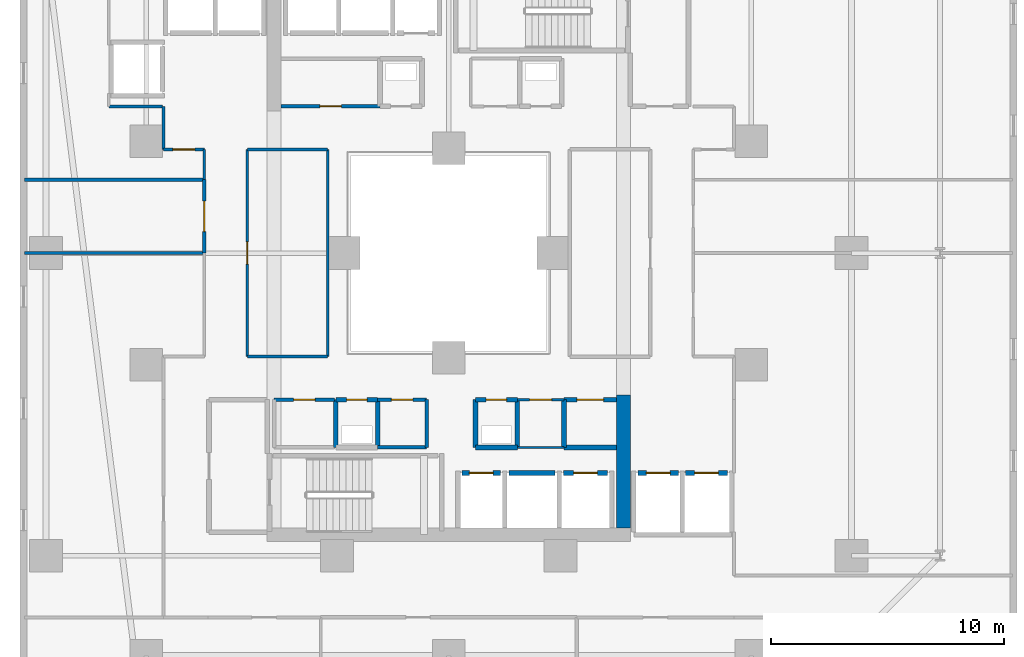
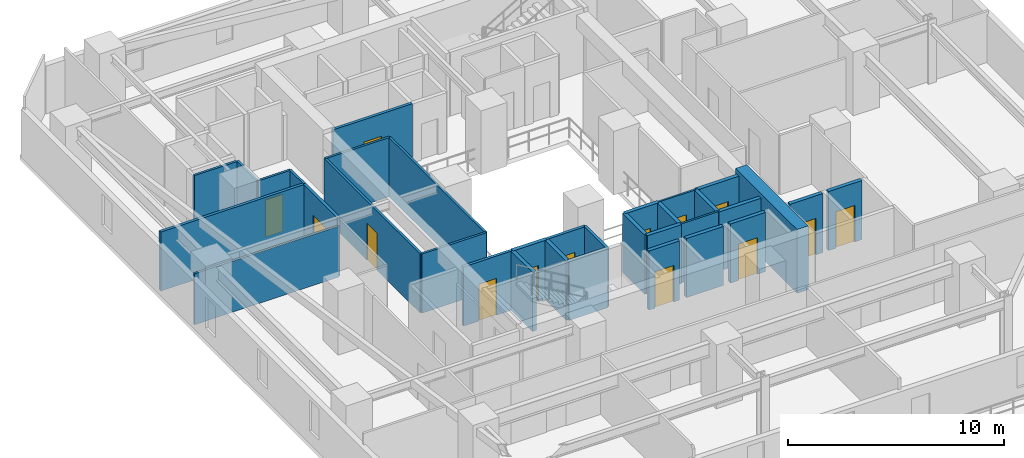
# One storey, part 21 of 34: 34 walls, 14 doors, 14 openings.
"""IFC4 building model written with IfcOpenShell, lengths in metres."""

from ifc_helpers import new_model, si_unit, direction, frame, frame_2d, origin, place, context, subcontext, project, spatial, rectangle, extrude, material, layer, layer_set, type_object, element, fill, save


model = new_model("IFC4")

# Units and contexts
model_context = context("Model", 3, precision=1e-05, world=origin(), true_north=direction((0.0, 1.0)))
body_context = subcontext(model_context, "Body", "Model", "MODEL_VIEW")
ifc_project = project(units=[si_unit("LENGTHUNIT", "METRE"), si_unit("AREAUNIT", "SQUARE_METRE"), si_unit("VOLUMEUNIT", "CUBIC_METRE"), si_unit("PLANEANGLEUNIT", "RADIAN"), si_unit("MASSUNIT", "GRAM", prefix="KILO")], contexts=[model_context])

# Site, building, storey
site_placement = place(None, origin())
site = spatial("IfcSite", under=ifc_project, at=site_placement, CompositionType="ELEMENT")
building_placement = place(site_placement, origin())
building = spatial("IfcBuilding", under=site, at=building_placement, Name="Thornwick Lancets Civic Towers", CompositionType="ELEMENT")
storey_placement = place(building_placement, frame((0.0, 0.0, 60.89990234375)))
storey = spatial("IfcBuildingStorey", under=building, at=storey_placement, Name="L15", CompositionType="ELEMENT", Elevation=60.89990234375)

# Wall, opening, door
ifc_material_1 = material(Name="Concrete blockwork C40/50", Category="masonry")
ifc_layer_1 = layer(ifc_material_1, 0.199951171875, Name="Concrete blockwork C40/50")
ifc_layer_set_1 = layer_set([ifc_layer_1], Name="Concrete blockwork C40/50")
wall_type_1 = type_object("IfcWallType", Name="WALL_COMP_200", PredefinedType="STANDARD", material=ifc_layer_set_1)
wall_1_placement = place(storey_placement, frame((26.080078125, 17.550048828125, 0.0), z_axis=(0.0, 0.0, 1.0), x_axis=(1.0, 0.0, 0.0)))
wall_1 = element("IfcWall", 1, at=wall_1_placement, inside=storey, type_object=wall_type_1, Name="L15 Hoistway Front Wall FL-A1", PredefinedType="STANDARD", context=body_context, shape_type="SweptSolid", body=[
    extrude(rectangle(XDim=1.639892578125, YDim=0.199951171875, at=frame_2d((0.81982421875, 0.0))), origin(), (0.0, 0.0, 1.0), 3.340087890625),
])
opening_1_placement = place(wall_1_placement, frame((0.31005859375, 0.0, 0.0)))
opening_1 = element("IfcOpeningElement", 2, at=opening_1_placement, cuts=wall_1, Name="Opening LD-FL-A1", PredefinedType="OPENING", context=body_context, shape_type="SweptSolid", body=[
    extrude(rectangle(XDim=1.02001953125, YDim=2.06005859375, at=frame_2d((0.510009765625, 1.030029296875))), frame((0.0, 0.10986328125, 0.0), z_axis=(0.0, -1.0, 0.0), x_axis=(1.0, 0.0, 0.0)), (0.0, 0.0, 1.0), 0.219970703125),
])
ifc_material_2 = material(Name="Brushed bronze stainless steel", Category="steel")
door_type_1 = type_object("IfcDoorType", Name="DOOR_LIFT_SLIDE", OperationType="SLIDING_TO_LEFT", PredefinedType="DOOR", material=ifc_material_2)
door_1_placement = place(opening_1_placement, origin())
door_1 = element("IfcDoor", 3, at=door_1_placement, inside=storey, type_object=door_type_1, Name="L15 Sliding Lift Landing Door LD-FL-A1", OperationType="SLIDING_TO_LEFT", OverallHeight=2.06005859375, OverallWidth=1.02001953125, PredefinedType="DOOR", context=body_context, shape_type="SweptSolid", body=[
    extrude(rectangle(XDim=1.02001953125, YDim=2.06005859375, at=frame_2d((0.510009765625, 1.030029296875))), frame((0.0, 0.02490234375, 0.0), z_axis=(0.0, -1.0, 0.0), x_axis=(1.0, 0.0, 0.0)), (0.0, 0.0, 1.0), 0.050048828125),
])
fill(opening_1, door_1)

# Wall
wall_2_placement = place(storey_placement, frame((28.080078125, 17.550048828125, 0.0), z_axis=(0.0, 0.0, 1.0), x_axis=(1.0, 0.0, 0.0)))
element("IfcWall", 4, at=wall_2_placement, inside=storey, type_object=wall_type_1, Name="L15 Hoistway Front Wall PL-AH1", PredefinedType="STANDARD", context=body_context, shape_type="SweptSolid", body=[
    extrude(rectangle(XDim=1.989990234375, YDim=0.199951171875, at=frame_2d((0.9951171875, 0.0))), origin(), (0.0, 0.0, 1.0), 3.340087890625),
])

# Wall, opening, door
wall_3_placement = place(storey_placement, frame((30.429931640625, 17.550048828125, 0.0), z_axis=(0.0, 0.0, 1.0), x_axis=(1.0, 0.0, 0.0)))
wall_3 = element("IfcWall", 5, at=wall_3_placement, inside=storey, type_object=wall_type_1, Name="L15 Hoistway Front Wall PL-AL1", PredefinedType="STANDARD", context=body_context, shape_type="SweptSolid", body=[
    extrude(rectangle(XDim=1.89013671875, YDim=0.199951171875, at=frame_2d((0.945068359375, 0.0))), origin(), (0.0, 0.0, 1.0), 3.340087890625),
])
opening_2_placement = place(wall_3_placement, frame((0.43505859375, 0.0, 0.0)))
opening_2 = element("IfcOpeningElement", 6, at=opening_2_placement, cuts=wall_3, Name="Opening LD-PL-AL1", PredefinedType="OPENING", context=body_context, shape_type="SweptSolid", body=[
    extrude(rectangle(XDim=1.02001953125, YDim=2.06005859375, at=frame_2d((0.510009765625, 1.030029296875))), frame((0.0, 0.10986328125, 0.0), z_axis=(0.0, -1.0, 0.0), x_axis=(1.0, 0.0, 0.0)), (0.0, 0.0, 1.0), 0.219970703125),
])
door_2_placement = place(opening_2_placement, origin())
door_2 = element("IfcDoor", 7, at=door_2_placement, inside=storey, type_object=door_type_1, Name="L15 Sliding Lift Landing Door LD-PL-AL1", OperationType="SLIDING_TO_LEFT", OverallHeight=2.06005859375, OverallWidth=1.02001953125, PredefinedType="DOOR", context=body_context, shape_type="SweptSolid", body=[
    extrude(rectangle(XDim=1.02001953125, YDim=2.06005859375, at=frame_2d((0.510009765625, 1.030029296875))), frame((0.0, 0.02490234375, 0.0), z_axis=(0.0, -1.0, 0.0), x_axis=(1.0, 0.0, 0.0)), (0.0, 0.0, 1.0), 0.050048828125),
])
fill(opening_2, door_2)

wall_4_placement = place(storey_placement, frame((33.6298828125, 17.550048828125, 0.0), z_axis=(0.0, 0.0, 1.0), x_axis=(1.0, 0.0, 0.0)))
wall_4 = element("IfcWall", 8, at=wall_4_placement, inside=storey, type_object=wall_type_1, Name="L15 Hoistway Front Wall PL-AL2", PredefinedType="STANDARD", context=body_context, shape_type="SweptSolid", body=[
    extrude(rectangle(XDim=1.740234375, YDim=0.199951171875, at=frame_2d((0.8701171875, 0.0))), origin(), (0.0, 0.0, 1.0), 3.340087890625),
])
opening_3_placement = place(wall_4_placement, frame((0.360107421875, 0.0, 0.0)))
opening_3 = element("IfcOpeningElement", 9, at=opening_3_placement, cuts=wall_4, Name="Opening LD-PL-AL2", PredefinedType="OPENING", context=body_context, shape_type="SweptSolid", body=[
    extrude(rectangle(XDim=1.02001953125, YDim=2.06005859375, at=frame_2d((0.510009765625, 1.030029296875))), frame((0.0, 0.10986328125, 0.0), z_axis=(0.0, -1.0, 0.0), x_axis=(1.0, 0.0, 0.0)), (0.0, 0.0, 1.0), 0.219970703125),
])
door_3_placement = place(opening_3_placement, origin())
door_3 = element("IfcDoor", 10, at=door_3_placement, inside=storey, type_object=door_type_1, Name="L15 Sliding Lift Landing Door LD-PL-AL2", OperationType="SLIDING_TO_LEFT", OverallHeight=2.06005859375, OverallWidth=1.02001953125, PredefinedType="DOOR", context=body_context, shape_type="SweptSolid", body=[
    extrude(rectangle(XDim=1.02001953125, YDim=2.06005859375, at=frame_2d((0.510009765625, 1.030029296875))), frame((0.0, 0.02490234375, 0.0), z_axis=(0.0, -1.0, 0.0), x_axis=(1.0, 0.0, 0.0)), (0.0, 0.0, 1.0), 0.050048828125),
])
fill(opening_3, door_3)

wall_5_placement = place(storey_placement, frame((35.679931640625, 17.550048828125, 0.0), z_axis=(0.0, 0.0, 1.0), x_axis=(1.0, 0.0, 0.0)))
wall_5 = element("IfcWall", 11, at=wall_5_placement, inside=storey, type_object=wall_type_1, Name="L15 Hoistway Front Wall PL-AL3", PredefinedType="STANDARD", context=body_context, shape_type="SweptSolid", body=[
    extrude(rectangle(XDim=1.7900390625, YDim=0.199951171875, at=frame_2d((0.89501953125, 0.0))), origin(), (0.0, 0.0, 1.0), 3.340087890625),
])
opening_4_placement = place(wall_5_placement, frame((0.385009765625, 0.0, 0.0)))
opening_4 = element("IfcOpeningElement", 12, at=opening_4_placement, cuts=wall_5, Name="Opening LD-PL-AL3", PredefinedType="OPENING", context=body_context, shape_type="SweptSolid", body=[
    extrude(rectangle(XDim=1.02001953125, YDim=2.06005859375, at=frame_2d((0.510009765625, 1.030029296875))), frame((0.0, 0.10986328125, 0.0), z_axis=(0.0, -1.0, 0.0), x_axis=(1.0, 0.0, 0.0)), (0.0, 0.0, 1.0), 0.219970703125),
])
door_4_placement = place(opening_4_placement, origin())
door_4 = element("IfcDoor", 13, at=door_4_placement, inside=storey, type_object=door_type_1, Name="L15 Sliding Lift Landing Door LD-PL-AL3", OperationType="SLIDING_TO_LEFT", OverallHeight=2.06005859375, OverallWidth=1.02001953125, PredefinedType="DOOR", context=body_context, shape_type="SweptSolid", body=[
    extrude(rectangle(XDim=1.02001953125, YDim=2.06005859375, at=frame_2d((0.510009765625, 1.030029296875))), frame((0.0, 0.02490234375, 0.0), z_axis=(0.0, -1.0, 0.0), x_axis=(1.0, 0.0, 0.0)), (0.0, 0.0, 1.0), 0.050048828125),
])
fill(opening_4, door_4)

# Walls
wall_6_placement = place(storey_placement, frame((26.64990234375, 18.64990234375, 0.0), z_axis=(0.0, 0.0, 1.0), x_axis=(1.0, 0.0, 0.0)))
element("IfcWall", 14, at=wall_6_placement, inside=storey, type_object=wall_type_1, Name="L15 Partition L15-A-DUCT1 E1", PredefinedType="STANDARD", context=body_context, shape_type="SweptSolid", body=[
    extrude(rectangle(XDim=1.800048828125, YDim=0.199951171875, at=frame_2d((0.89990234375, 0.0))), origin(), (0.0, 0.0, 1.0), 3.340087890625),
])
wall_7_placement = place(storey_placement, frame((28.449951171875, 18.64990234375, 0.0), z_axis=(0.0, 0.0, 1.0), x_axis=(0.0, 1.0, 0.0)))
element("IfcWall", 15, at=wall_7_placement, inside=storey, type_object=wall_type_1, Name="L15 Partition L15-A-DUCT1 E2", PredefinedType="STANDARD", context=body_context, shape_type="SweptSolid", body=[
    extrude(rectangle(XDim=2.050048828125, YDim=0.199951171875, at=frame_2d((1.02490234375, 0.0))), origin(), (0.0, 0.0, 1.0), 3.340087890625),
])

# Wall, opening, door
wall_8_placement = place(storey_placement, frame((28.449951171875, 20.699951171875, 0.0), z_axis=(0.0, 0.0, 1.0), x_axis=(-1.0, 0.0, 0.0)))
wall_8 = element("IfcWall", 16, at=wall_8_placement, inside=storey, type_object=wall_type_1, Name="L15 Partition L15-A-DUCT1 E3", PredefinedType="STANDARD", context=body_context, shape_type="SweptSolid", body=[
    extrude(rectangle(XDim=1.800048828125, YDim=0.199951171875, at=frame_2d((0.89990234375, 0.0))), origin(), (0.0, 0.0, 1.0), 3.340087890625),
])
opening_5_placement = place(wall_8_placement, frame((0.4599609375, 0.0, 0.0)))
opening_5 = element("IfcOpeningElement", 17, at=opening_5_placement, cuts=wall_8, Name="Opening D-L15-0705", PredefinedType="OPENING", context=body_context, shape_type="SweptSolid", body=[
    extrude(rectangle(XDim=0.8798828125, YDim=2.0400390625, at=frame_2d((0.43994140625, 1.02001953125))), frame((0.0, 0.10986328125, 0.0), z_axis=(0.0, -1.0, 0.0), x_axis=(1.0, 0.0, 0.0)), (0.0, 0.0, 1.0), 0.219970703125),
])
ifc_material_3 = material(Name="Steel riser access doorset", Category="steel")
door_type_2 = type_object("IfcDoorType", Name="DOOR_RISER_850", OperationType="NOTDEFINED", PredefinedType="DOOR", material=ifc_material_3)
door_5_placement = place(opening_5_placement, origin())
door_5 = element("IfcDoor", 18, at=door_5_placement, inside=storey, type_object=door_type_2, Name="L15 South Service Duct 1 Door", OperationType="SINGLE_SWING_RIGHT", OverallHeight=2.0400390625, OverallWidth=0.8798828125, PredefinedType="DOOR", context=body_context, shape_type="SweptSolid", body=[
    extrude(rectangle(XDim=0.8798828125, YDim=2.0400390625, at=frame_2d((0.43994140625, 1.02001953125))), frame((0.0, 0.02490234375, 0.0), z_axis=(0.0, -1.0, 0.0), x_axis=(1.0, 0.0, 0.0)), (0.0, 0.0, 1.0), 0.050048828125),
])
fill(opening_5, door_5)

# Walls
for number, where, z_axis, x_axis, name in (
    (19, (26.64990234375, 20.699951171875, 0.0), (0.0, 0.0, 1.0), (0.0, -1.0, 0.0), "L15 Partition L15-A-DUCT1 E4"),
    (20, (22.449951171875, 18.64990234375, 0.0), (0.0, 0.0, 1.0), (0.0, 1.0, 0.0), "L15 Partition L15-A-RISER1 E2"),
):
    element("IfcWall", number, at=place(storey_placement, frame(where, z_axis=z_axis, x_axis=x_axis)), inside=storey, type_object=wall_type_1, Name=name, PredefinedType="STANDARD", context=body_context, shape_type="SweptSolid", body=[
        extrude(rectangle(XDim=2.050048828125, YDim=0.199951171875, at=frame_2d((1.02490234375, 0.0))), origin(), (0.0, 0.0, 1.0), 3.340087890625),
    ])

# Wall, opening, door
wall_9_placement = place(storey_placement, frame((22.449951171875, 20.699951171875, 0.0), z_axis=(0.0, 0.0, 1.0), x_axis=(-1.0, 0.0, 0.0)))
wall_9 = element("IfcWall", 21, at=wall_9_placement, inside=storey, type_object=wall_type_1, Name="L15 Partition L15-A-RISER1 E3", PredefinedType="STANDARD", context=body_context, shape_type="SweptSolid", body=[
    extrude(rectangle(XDim=1.800048828125, YDim=0.199951171875, at=frame_2d((0.89990234375, 0.0))), origin(), (0.0, 0.0, 1.0), 3.340087890625),
])
opening_6_placement = place(wall_9_placement, frame((0.4599609375, 0.0, 0.0)))
opening_6 = element("IfcOpeningElement", 22, at=opening_6_placement, cuts=wall_9, Name="Opening D-L15-0706", PredefinedType="OPENING", context=body_context, shape_type="SweptSolid", body=[
    extrude(rectangle(XDim=0.8798828125, YDim=2.0400390625, at=frame_2d((0.43994140625, 1.02001953125))), frame((0.0, 0.10986328125, 0.0), z_axis=(0.0, -1.0, 0.0), x_axis=(1.0, 0.0, 0.0)), (0.0, 0.0, 1.0), 0.219970703125),
])
door_6_placement = place(opening_6_placement, origin())
door_6 = element("IfcDoor", 23, at=door_6_placement, inside=storey, type_object=door_type_2, Name="L15 South Electrical Riser 1 Door", OperationType="SINGLE_SWING_LEFT", OverallHeight=2.0400390625, OverallWidth=0.8798828125, PredefinedType="DOOR", context=body_context, shape_type="SweptSolid", body=[
    extrude(rectangle(XDim=0.8798828125, YDim=2.0400390625, at=frame_2d((0.43994140625, 1.02001953125))), frame((0.0, 0.02490234375, 0.0), z_axis=(0.0, -1.0, 0.0), x_axis=(1.0, 0.0, 0.0)), (0.0, 0.0, 1.0), 0.050048828125),
])
fill(opening_6, door_6)

# Walls
wall_10_placement = place(storey_placement, frame((20.64990234375, 20.699951171875, 0.0), z_axis=(0.0, 0.0, 1.0), x_axis=(0.0, -1.0, 0.0)))
element("IfcWall", 24, at=wall_10_placement, inside=storey, type_object=wall_type_1, Name="L15 Partition L15-A-RISER1 E4", PredefinedType="STANDARD", context=body_context, shape_type="SweptSolid", body=[
    extrude(rectangle(XDim=2.050048828125, YDim=0.199951171875, at=frame_2d((1.02490234375, 0.0))), origin(), (0.0, 0.0, 1.0), 3.340087890625),
])
wall_11_placement = place(storey_placement, frame((32.699951171875, 18.64990234375, 0.0), z_axis=(0.0, 0.0, 1.0), x_axis=(-1.0, 0.0, 0.0)))
element("IfcWall", 25, at=wall_11_placement, inside=storey, type_object=wall_type_1, Name="L15 Partition L15-A-ITR2 E2", PredefinedType="STANDARD", context=body_context, shape_type="SweptSolid", body=[
    extrude(rectangle(XDim=2.25, YDim=0.199951171875, at=frame_2d((1.125, 0.0))), origin(), (0.0, 0.0, 1.0), 3.340087890625),
])
wall_12_placement = place(storey_placement, frame((30.449951171875, 18.64990234375, 0.0), z_axis=(0.0, 0.0, 1.0), x_axis=(0.0, 1.0, 0.0)))
element("IfcWall", 26, at=wall_12_placement, inside=storey, type_object=wall_type_1, Name="L15 Partition L15-A-ITR2 E3", PredefinedType="STANDARD", context=body_context, shape_type="SweptSolid", body=[
    extrude(rectangle(XDim=2.050048828125, YDim=0.199951171875, at=frame_2d((1.02490234375, 0.0))), origin(), (0.0, 0.0, 1.0), 3.340087890625),
])

# Wall, opening, door
wall_13_placement = place(storey_placement, frame((30.449951171875, 20.699951171875, 0.0), z_axis=(0.0, 0.0, 1.0), x_axis=(1.0, 0.0, 0.0)))
wall_13 = element("IfcWall", 27, at=wall_13_placement, inside=storey, type_object=wall_type_1, Name="L15 Partition L15-A-ITR2 E4", PredefinedType="STANDARD", context=body_context, shape_type="SweptSolid", body=[
    extrude(rectangle(XDim=2.25, YDim=0.199951171875, at=frame_2d((1.125, 0.0))), origin(), (0.0, 0.0, 1.0), 3.340087890625),
])
opening_7_placement = place(wall_13_placement, frame((0.550048828125, 0.0, 0.0)))
opening_7 = element("IfcOpeningElement", 28, at=opening_7_placement, cuts=wall_13, Name="Opening D-L15-0712", PredefinedType="OPENING", context=body_context, shape_type="SweptSolid", body=[
    extrude(rectangle(XDim=1.14990234375, YDim=2.10009765625, at=frame_2d((0.574951171875, 1.050048828125))), frame((0.0, 0.10986328125, 0.0), z_axis=(0.0, -1.0, 0.0), x_axis=(1.0, 0.0, 0.0)), (0.0, 0.0, 1.0), 0.219970703125),
])
ifc_material_4 = material(Name="Glazed fire-resisting steel", Category="steel")
door_type_3 = type_object("IfcDoorType", Name="DOOR_LOBBY_FD60", OperationType="NOTDEFINED", PredefinedType="DOOR", material=ifc_material_4)
door_7_placement = place(opening_7_placement, origin())
door_7 = element("IfcDoor", 29, at=door_7_placement, inside=storey, type_object=door_type_3, Name="L15 Tower A Statutory Core Archive Door", OperationType="SINGLE_SWING_LEFT", OverallHeight=2.10009765625, OverallWidth=1.14990234375, PredefinedType="DOOR", context=body_context, shape_type="SweptSolid", body=[
    extrude(rectangle(XDim=1.14990234375, YDim=2.10009765625, at=frame_2d((0.574951171875, 1.050048828125))), frame((0.0, 0.02490234375, 0.0), z_axis=(0.0, -1.0, 0.0), x_axis=(1.0, 0.0, 0.0)), (0.0, 0.0, 1.0), 0.050048828125),
])
fill(opening_7, door_7)

# Walls
ifc_material_5 = material(Name="Concrete C60/75", Category="concrete")
ifc_layer_2 = layer(ifc_material_5, 0.60009765625, Name="Concrete C60/75")
ifc_layer_set_2 = layer_set([ifc_layer_2], Name="Concrete C60/75")
wall_type_2 = type_object("IfcWallType", Name="WALL_CORE_600", PredefinedType="SHEAR", material=ifc_layer_set_2)
wall_14_placement = place(storey_placement, frame((33.0, 15.199951171875, 0.0), z_axis=(0.0, 0.0, 1.0), x_axis=(0.0, 1.0, 0.0)))
element("IfcWall", 30, at=wall_14_placement, inside=storey, type_object=wall_type_2, Name="L15 Split Core A1 Shear Wall E", PredefinedType="SHEAR", context=body_context, shape_type="SweptSolid", body=[
    extrude(rectangle(XDim=5.699951171875, YDim=0.60009765625, at=frame_2d((2.85009765625, 0.0))), origin(), (0.0, 0.0, 1.0), 3.60009765625),
])
ifc_material_6 = material(Name="Lightweight cellular office partition")
ifc_layer_3 = layer(ifc_material_6, 0.10009765625, Name="Lightweight cellular office partition")
ifc_layer_set_3 = layer_set([ifc_layer_3], Name="Lightweight cellular office partition")
wall_type_3 = type_object("IfcWallType", Name="WALL_PART_100", PredefinedType="PARTITIONING", material=ifc_layer_set_3)
wall_15_placement = place(storey_placement, frame((30.449951171875, 18.64990234375, 0.0), z_axis=(0.0, 0.0, 1.0), x_axis=(-1.0, 0.0, 0.0)))
element("IfcWall", 31, at=wall_15_placement, inside=storey, type_object=wall_type_3, Name="L15 Partition L15-A-CLN E2", PredefinedType="PARTITIONING", context=body_context, shape_type="SweptSolid", body=[
    extrude(rectangle(XDim=2.0, YDim=0.10009765625, at=frame_2d((1.0, 0.0))), origin(), (0.0, 0.0, 1.0), 3.340087890625),
])

# Wall, opening, door
wall_16_placement = place(storey_placement, frame((28.449951171875, 20.699951171875, 0.0), z_axis=(0.0, 0.0, 1.0), x_axis=(1.0, 0.0, 0.0)))
wall_16 = element("IfcWall", 32, at=wall_16_placement, inside=storey, type_object=wall_type_3, Name="L15 Partition L15-A-CLN E4", PredefinedType="PARTITIONING", context=body_context, shape_type="SweptSolid", body=[
    extrude(rectangle(XDim=2.0, YDim=0.10009765625, at=frame_2d((1.0, 0.0))), origin(), (0.0, 0.0, 1.0), 3.340087890625),
])
opening_8_placement = place(wall_16_placement, frame((0.52490234375, 0.0, 0.0)))
opening_8 = element("IfcOpeningElement", 33, at=opening_8_placement, cuts=wall_16, Name="Opening D-L15-0711", PredefinedType="OPENING", context=body_context, shape_type="SweptSolid", body=[
    extrude(rectangle(XDim=0.949951171875, YDim=2.10009765625, at=frame_2d((0.47509765625, 1.050048828125))), frame((0.0, 0.06005859375, 0.0), z_axis=(0.0, -1.0, 0.0), x_axis=(1.0, 0.0, 0.0)), (0.0, 0.0, 1.0), 0.1201171875),
])
ifc_material_7 = material(Name="European oak acoustic doorset")
door_type_4 = type_object("IfcDoorType", Name="DOOR_OFFICE_950", OperationType="NOTDEFINED", PredefinedType="DOOR", material=ifc_material_7)
door_8_placement = place(opening_8_placement, origin())
door_8 = element("IfcDoor", 34, at=door_8_placement, inside=storey, type_object=door_type_4, Name="L15 Tower A Cleaners Store Door", OperationType="SINGLE_SWING_RIGHT", OverallHeight=2.10009765625, OverallWidth=0.949951171875, PredefinedType="DOOR", context=body_context, shape_type="SweptSolid", body=[
    extrude(rectangle(XDim=0.949951171875, YDim=2.10009765625, at=frame_2d((0.47509765625, 1.050048828125))), frame((0.0, 0.02490234375, 0.0), z_axis=(0.0, -1.0, 0.0), x_axis=(1.0, 0.0, 0.0)), (0.0, 0.0, 1.0), 0.050048828125),
])
fill(opening_8, door_8)

# Walls
ifc_material_8 = material(Name="Acoustic gypsum board partition")
ifc_layer_4 = layer(ifc_material_8, 0.1201171875, Name="Acoustic gypsum board partition")
ifc_layer_set_4 = layer_set([ifc_layer_4], Name="Acoustic gypsum board partition")
wall_type_4 = type_object("IfcWallType", Name="WALL_PART_120", PredefinedType="PARTITIONING", material=ifc_layer_set_4)
wall_17_placement = place(storey_placement, frame((7.280029296875, 27.0, 0.0), z_axis=(0.0, 0.0, 1.0), x_axis=(1.0, 0.0, 0.0)))
element("IfcWall", 35, at=wall_17_placement, inside=storey, type_object=wall_type_4, Name="L15 Partition L15-A-W1 E7", PredefinedType="PARTITIONING", context=body_context, shape_type="SweptSolid", body=[
    extrude(rectangle(XDim=7.719970703125, YDim=0.1201171875, at=frame_2d((3.85986328125, 0.0))), origin(), (0.0, 0.0, 1.0), 2.8779296875),
])
wall_18_placement = place(storey_placement, frame((13.25, 33.300048828125, 0.0), z_axis=(0.0, 0.0, 1.0), x_axis=(0.0, -1.0, 0.0)))
element("IfcWall", 36, at=wall_18_placement, inside=storey, type_object=wall_type_4, Name="L15 Partition L15-A-W3 E2", PredefinedType="PARTITIONING", context=body_context, shape_type="SweptSolid", body=[
    extrude(rectangle(XDim=1.85009765625, YDim=0.1201171875, at=frame_2d((0.925048828125, 0.0))), origin(), (0.0, 0.0, 1.0), 3.340087890625),
])

# Wall, opening, door
wall_19_placement = place(storey_placement, frame((13.25, 31.449951171875, 0.0), z_axis=(0.0, 0.0, 1.0), x_axis=(1.0, 0.0, 0.0)))
wall_19 = element("IfcWall", 37, at=wall_19_placement, inside=storey, type_object=wall_type_4, Name="L15 Partition L15-A-W3 E3", PredefinedType="PARTITIONING", context=body_context, shape_type="SweptSolid", body=[
    extrude(rectangle(XDim=1.75, YDim=0.1201171875, at=frame_2d((0.875, 0.0))), origin(), (0.0, 0.0, 1.0), 3.340087890625),
])
opening_9_placement = place(wall_19_placement, frame((0.39990234375, 0.0, 0.0)))
opening_9 = element("IfcOpeningElement", 38, at=opening_9_placement, cuts=wall_19, Name="Opening D-L15-0729", PredefinedType="OPENING", context=body_context, shape_type="SweptSolid", body=[
    extrude(rectangle(XDim=0.949951171875, YDim=2.10009765625, at=frame_2d((0.47509765625, 1.050048828125))), frame((0.0, 0.070068359375, 0.0), z_axis=(0.0, -1.0, 0.0), x_axis=(1.0, 0.0, 0.0)), (0.0, 0.0, 1.0), 0.14013671875),
])
door_9_placement = place(opening_9_placement, origin())
door_9 = element("IfcDoor", 39, at=door_9_placement, inside=storey, type_object=door_type_4, Name="L15 Tower A Staff Tea Pantry and Lounge Door", OperationType="SINGLE_SWING_RIGHT", OverallHeight=2.10009765625, OverallWidth=0.949951171875, PredefinedType="DOOR", context=body_context, shape_type="SweptSolid", body=[
    extrude(rectangle(XDim=0.949951171875, YDim=2.10009765625, at=frame_2d((0.47509765625, 1.050048828125))), frame((0.0, 0.02490234375, 0.0), z_axis=(0.0, -1.0, 0.0), x_axis=(1.0, 0.0, 0.0)), (0.0, 0.0, 1.0), 0.050048828125),
])
fill(opening_9, door_9)

# Walls
wall_20_placement = place(storey_placement, frame((15.0, 31.449951171875, 0.0), z_axis=(0.0, 0.0, 1.0), x_axis=(0.0, -1.0, 0.0)))
element("IfcWall", 40, at=wall_20_placement, inside=storey, type_object=wall_type_4, Name="L15 Partition L15-A-W3 E4", PredefinedType="PARTITIONING", context=body_context, shape_type="SweptSolid", body=[
    extrude(rectangle(XDim=1.300048828125, YDim=0.1201171875, at=frame_2d((0.64990234375, 0.0))), origin(), (0.0, 0.0, 1.0), 3.340087890625),
])
wall_21_placement = place(storey_placement, frame((10.89990234375, 33.300048828125, 0.0), z_axis=(0.0, 0.0, 1.0), x_axis=(1.0, 0.0, 0.0)))
element("IfcWall", 41, at=wall_21_placement, inside=storey, type_object=wall_type_4, Name="L15 Partition L15-A-W3 E10", PredefinedType="PARTITIONING", context=body_context, shape_type="SweptSolid", body=[
    extrude(rectangle(XDim=2.300048828125, YDim=0.1201171875, at=frame_2d((1.14990234375, 0.0))), origin(), (0.0, 0.0, 1.0), 3.340087890625),
])

# Wall, opening, door
wall_22_placement = place(storey_placement, frame((16.85009765625, 22.550048828125, 0.0), z_axis=(0.0, 0.0, 1.0), x_axis=(0.0, 1.0, 0.0)))
wall_22 = element("IfcWall", 42, at=wall_22_placement, inside=storey, type_object=wall_type_4, Name="L15 Partition L15-A-ATR-W E1", PredefinedType="PARTITIONING", context=body_context, shape_type="SweptSolid", body=[
    extrude(rectangle(XDim=8.89990234375, YDim=0.1201171875, at=frame_2d((4.449951171875, 0.0))), origin(), (0.0, 0.0, 1.0), 3.340087890625),
])
opening_10_placement = place(wall_22_placement, frame((3.97509765625, 0.0, 0.0)))
opening_10 = element("IfcOpeningElement", 43, at=opening_10_placement, cuts=wall_22, Name="Opening D-L15-0734", PredefinedType="OPENING", context=body_context, shape_type="SweptSolid", body=[
    extrude(rectangle(XDim=0.949951171875, YDim=2.10009765625, at=frame_2d((0.47509765625, 1.050048828125))), frame((0.0, 0.070068359375, 0.0), z_axis=(0.0, -1.0, 0.0), x_axis=(1.0, 0.0, 0.0)), (0.0, 0.0, 1.0), 0.14013671875),
])
door_10_placement = place(opening_10_placement, origin())
door_10 = element("IfcDoor", 44, at=door_10_placement, inside=storey, type_object=door_type_4, Name="L15 Tower A West Atrium Study Lounge Door", OperationType="SINGLE_SWING_LEFT", OverallHeight=2.10009765625, OverallWidth=0.949951171875, PredefinedType="DOOR", context=body_context, shape_type="SweptSolid", body=[
    extrude(rectangle(XDim=0.949951171875, YDim=2.10009765625, at=frame_2d((0.47509765625, 1.050048828125))), frame((0.0, 0.02490234375, 0.0), z_axis=(0.0, -1.0, 0.0), x_axis=(1.0, 0.0, 0.0)), (0.0, 0.0, 1.0), 0.050048828125),
])
fill(opening_10, door_10)

# Walls
wall_23_placement = place(storey_placement, frame((16.85009765625, 31.449951171875, 0.0), z_axis=(0.0, 0.0, 1.0), x_axis=(1.0, 0.0, 0.0)))
element("IfcWall", 45, at=wall_23_placement, inside=storey, type_object=wall_type_4, Name="L15 Partition L15-A-ATR-W E2", PredefinedType="PARTITIONING", context=body_context, shape_type="SweptSolid", body=[
    extrude(rectangle(XDim=3.449951171875, YDim=0.1201171875, at=frame_2d((1.72509765625, 0.0))), origin(), (0.0, 0.0, 1.0), 3.340087890625),
])
wall_24_placement = place(storey_placement, frame((20.300048828125, 31.449951171875, 0.0), z_axis=(0.0, 0.0, 1.0), x_axis=(0.0, -1.0, 0.0)))
element("IfcWall", 46, at=wall_24_placement, inside=storey, type_object=wall_type_4, Name="L15 Partition L15-A-ATR-W E3", PredefinedType="PARTITIONING", context=body_context, shape_type="SweptSolid", body=[
    extrude(rectangle(XDim=8.89990234375, YDim=0.1201171875, at=frame_2d((4.449951171875, 0.0))), origin(), (0.0, 0.0, 1.0), 3.340087890625),
])
wall_25_placement = place(storey_placement, frame((20.300048828125, 22.550048828125, 0.0), z_axis=(0.0, 0.0, 1.0), x_axis=(-1.0, 0.0, 0.0)))
element("IfcWall", 47, at=wall_25_placement, inside=storey, type_object=wall_type_4, Name="L15 Partition L15-A-ATR-W E4", PredefinedType="PARTITIONING", context=body_context, shape_type="SweptSolid", body=[
    extrude(rectangle(XDim=3.449951171875, YDim=0.1201171875, at=frame_2d((1.72509765625, 0.0))), origin(), (0.0, 0.0, 1.0), 3.340087890625),
])

# Wall, opening, door
ifc_material_9 = material(Name="Twin-stud acoustic gypsum board")
ifc_layer_5 = layer(ifc_material_9, 0.14990234375, Name="Twin-stud acoustic gypsum board")
ifc_layer_set_5 = layer_set([ifc_layer_5], Name="Twin-stud acoustic gypsum board")
wall_type_5 = type_object("IfcWallType", Name="WALL_PART_150", PredefinedType="PARTITIONING", material=ifc_layer_set_5)
wall_26_placement = place(storey_placement, frame((20.60009765625, 20.699951171875, 0.0), z_axis=(0.0, 0.0, 1.0), x_axis=(-1.0, 0.0, 0.0)))
wall_26 = element("IfcWall", 48, at=wall_26_placement, inside=storey, type_object=wall_type_5, Name="L15 Partition L15-A-MWC E3", PredefinedType="PARTITIONING", context=body_context, shape_type="SweptSolid", body=[
    extrude(rectangle(XDim=2.60009765625, YDim=0.14990234375, at=frame_2d((1.300048828125, 0.0))), origin(), (0.0, 0.0, 1.0), 3.340087890625),
])
opening_11_placement = place(wall_26_placement, frame((0.840087890625, 0.0, 0.0)))
opening_11 = element("IfcOpeningElement", 49, at=opening_11_placement, cuts=wall_26, Name="Opening D-L15-0709", PredefinedType="OPENING", context=body_context, shape_type="SweptSolid", body=[
    extrude(rectangle(XDim=0.919921875, YDim=2.080078125, at=frame_2d((0.4599609375, 1.0400390625))), frame((0.0, 0.0849609375, 0.0), z_axis=(0.0, -1.0, 0.0), x_axis=(1.0, 0.0, 0.0)), (0.0, 0.0, 1.0), 0.169921875),
])
ifc_material_10 = material(Name="Moisture-resistant oak doorset")
door_type_5 = type_object("IfcDoorType", Name="DOOR_WC_900", OperationType="NOTDEFINED", PredefinedType="DOOR", material=ifc_material_10)
door_11_placement = place(opening_11_placement, origin())
door_11 = element("IfcDoor", 50, at=door_11_placement, inside=storey, type_object=door_type_5, Name="L15 Tower A Male WC Door", OperationType="SINGLE_SWING_RIGHT", OverallHeight=2.080078125, OverallWidth=0.919921875, PredefinedType="DOOR", context=body_context, shape_type="SweptSolid", body=[
    extrude(rectangle(XDim=0.919921875, YDim=2.080078125, at=frame_2d((0.4599609375, 1.0400390625))), frame((0.0, 0.02490234375, 0.0), z_axis=(0.0, -1.0, 0.0), x_axis=(1.0, 0.0, 0.0)), (0.0, 0.0, 1.0), 0.050048828125),
])
fill(opening_11, door_11)

# Walls
wall_27_placement = place(storey_placement, frame((24.550048828125, 20.699951171875, 0.0), z_axis=(0.0, 0.0, 1.0), x_axis=(0.0, -1.0, 0.0)))
element("IfcWall", 51, at=wall_27_placement, inside=storey, type_object=wall_type_5, Name="L15 Partition L15-A-AWC E1", PredefinedType="PARTITIONING", context=body_context, shape_type="SweptSolid", body=[
    extrude(rectangle(XDim=2.050048828125, YDim=0.14990234375, at=frame_2d((1.02490234375, 0.0))), origin(), (0.0, 0.0, 1.0), 3.340087890625),
])
wall_28_placement = place(storey_placement, frame((24.550048828125, 18.64990234375, 0.0), z_axis=(0.0, 0.0, 1.0), x_axis=(-1.0, 0.0, 0.0)))
element("IfcWall", 52, at=wall_28_placement, inside=storey, type_object=wall_type_5, Name="L15 Partition L15-A-AWC E2", PredefinedType="PARTITIONING", context=body_context, shape_type="SweptSolid", body=[
    extrude(rectangle(XDim=2.10009765625, YDim=0.14990234375, at=frame_2d((1.050048828125, 0.0))), origin(), (0.0, 0.0, 1.0), 3.340087890625),
])

# Wall, opening, door
wall_29_placement = place(storey_placement, frame((22.449951171875, 20.699951171875, 0.0), z_axis=(0.0, 0.0, 1.0), x_axis=(1.0, 0.0, 0.0)))
wall_29 = element("IfcWall", 53, at=wall_29_placement, inside=storey, type_object=wall_type_5, Name="L15 Partition L15-A-AWC E4", PredefinedType="PARTITIONING", context=body_context, shape_type="SweptSolid", body=[
    extrude(rectangle(XDim=2.10009765625, YDim=0.14990234375, at=frame_2d((1.050048828125, 0.0))), origin(), (0.0, 0.0, 1.0), 3.340087890625),
])
opening_12_placement = place(wall_29_placement, frame((0.590087890625, 0.0, 0.0)))
opening_12 = element("IfcOpeningElement", 54, at=opening_12_placement, cuts=wall_29, Name="Opening D-L15-0710", PredefinedType="OPENING", context=body_context, shape_type="SweptSolid", body=[
    extrude(rectangle(XDim=0.919921875, YDim=2.080078125, at=frame_2d((0.4599609375, 1.0400390625))), frame((0.0, 0.0849609375, 0.0), z_axis=(0.0, -1.0, 0.0), x_axis=(1.0, 0.0, 0.0)), (0.0, 0.0, 1.0), 0.169921875),
])
door_12_placement = place(opening_12_placement, origin())
door_12 = element("IfcDoor", 55, at=door_12_placement, inside=storey, type_object=door_type_5, Name="L15 Tower A Accessible WC Door", OperationType="SINGLE_SWING_LEFT", OverallHeight=2.080078125, OverallWidth=0.919921875, PredefinedType="DOOR", context=body_context, shape_type="SweptSolid", body=[
    extrude(rectangle(XDim=0.919921875, YDim=2.080078125, at=frame_2d((0.4599609375, 1.0400390625))), frame((0.0, 0.02490234375, 0.0), z_axis=(0.0, -1.0, 0.0), x_axis=(1.0, 0.0, 0.0)), (0.0, 0.0, 1.0), 0.050048828125),
])
fill(opening_12, door_12)

wall_30_placement = place(storey_placement, frame((22.550048828125, 33.300048828125, 0.0), z_axis=(0.0, 0.0, 1.0), x_axis=(-1.0, 0.0, 0.0)))
wall_30 = element("IfcWall", 56, at=wall_30_placement, inside=storey, type_object=wall_type_5, Name="L15 Partition L15-A-FWC E4", PredefinedType="PARTITIONING", context=body_context, shape_type="SweptSolid", body=[
    extrude(rectangle(XDim=4.25, YDim=0.14990234375, at=frame_2d((2.125, 0.0))), origin(), (0.0, 0.0, 1.0), 3.340087890625),
])
opening_13_placement = place(wall_30_placement, frame((1.6650390625, 0.0, 0.0)))
opening_13 = element("IfcOpeningElement", 57, at=opening_13_placement, cuts=wall_30, Name="Opening D-L15-0713", PredefinedType="OPENING", context=body_context, shape_type="SweptSolid", body=[
    extrude(rectangle(XDim=0.919921875, YDim=2.080078125, at=frame_2d((0.4599609375, 1.0400390625))), frame((0.0, 0.0849609375, 0.0), z_axis=(0.0, -1.0, 0.0), x_axis=(1.0, 0.0, 0.0)), (0.0, 0.0, 1.0), 0.169921875),
])
door_13_placement = place(opening_13_placement, origin())
door_13 = element("IfcDoor", 58, at=door_13_placement, inside=storey, type_object=door_type_5, Name="L15 Tower A Female WC Door", OperationType="SINGLE_SWING_RIGHT", OverallHeight=2.080078125, OverallWidth=0.919921875, PredefinedType="DOOR", context=body_context, shape_type="SweptSolid", body=[
    extrude(rectangle(XDim=0.919921875, YDim=2.080078125, at=frame_2d((0.4599609375, 1.0400390625))), frame((0.0, 0.02490234375, 0.0), z_axis=(0.0, -1.0, 0.0), x_axis=(1.0, 0.0, 0.0)), (0.0, 0.0, 1.0), 0.050048828125),
])
fill(opening_13, door_13)

# Wall
wall_31_placement = place(storey_placement, frame((7.280029296875, 30.14990234375, 0.0), z_axis=(0.0, 0.0, 1.0), x_axis=(1.0, 0.0, 0.0)))
element("IfcWall", 59, at=wall_31_placement, inside=storey, type_object=wall_type_5, Name="L15 Partition L15-A-W2 E1", PredefinedType="PARTITIONING", context=body_context, shape_type="SweptSolid", body=[
    extrude(rectangle(XDim=7.719970703125, YDim=0.14990234375, at=frame_2d((3.85986328125, 0.0))), origin(), (0.0, 0.0, 1.0), 3.340087890625),
])

# Wall, opening, door
wall_32_placement = place(storey_placement, frame((15.0, 30.14990234375, 0.0), z_axis=(0.0, 0.0, 1.0), x_axis=(0.0, -1.0, 0.0)))
wall_32 = element("IfcWall", 60, at=wall_32_placement, inside=storey, type_object=wall_type_5, Name="L15 Partition L15-A-W2 E2", PredefinedType="PARTITIONING", context=body_context, shape_type="SweptSolid", body=[
    extrude(rectangle(XDim=3.14990234375, YDim=0.14990234375, at=frame_2d((1.574951171875, 0.0))), origin(), (0.0, 0.0, 1.0), 3.340087890625),
])
opening_14_placement = place(wall_32_placement, frame((0.925048828125, 0.0, 0.0)))
opening_14 = element("IfcOpeningElement", 61, at=opening_14_placement, cuts=wall_32, Name="Opening D-L15-0728", PredefinedType="OPENING", context=body_context, shape_type="SweptSolid", body=[
    extrude(rectangle(XDim=1.300048828125, YDim=2.1201171875, at=frame_2d((0.64990234375, 1.06005859375))), frame((0.0, 0.0849609375, 0.0), z_axis=(0.0, -1.0, 0.0), x_axis=(1.0, 0.0, 0.0)), (0.0, 0.0, 1.0), 0.169921875),
])
ifc_material_11 = material(Name="Acoustic oak leaf-and-a-half doorset")
door_type_6 = type_object("IfcDoorType", Name="DOOR_MEET_1300", OperationType="DOUBLE_DOOR_SINGLE_SWING", PredefinedType="DOOR", material=ifc_material_11)
door_14_placement = place(opening_14_placement, origin())
door_14 = element("IfcDoor", 62, at=door_14_placement, inside=storey, type_object=door_type_6, Name="L15 Tower A Policy Briefing Room W2 Door", OperationType="DOUBLE_DOOR_SINGLE_SWING", OverallHeight=2.1201171875, OverallWidth=1.300048828125, PredefinedType="DOOR", context=body_context, shape_type="SweptSolid", body=[
    extrude(rectangle(XDim=1.300048828125, YDim=2.1201171875, at=frame_2d((0.64990234375, 1.06005859375))), frame((0.0, 0.02490234375, 0.0), z_axis=(0.0, -1.0, 0.0), x_axis=(1.0, 0.0, 0.0)), (0.0, 0.0, 1.0), 0.050048828125),
])
fill(opening_14, door_14)

save(model, "model.ifc")
